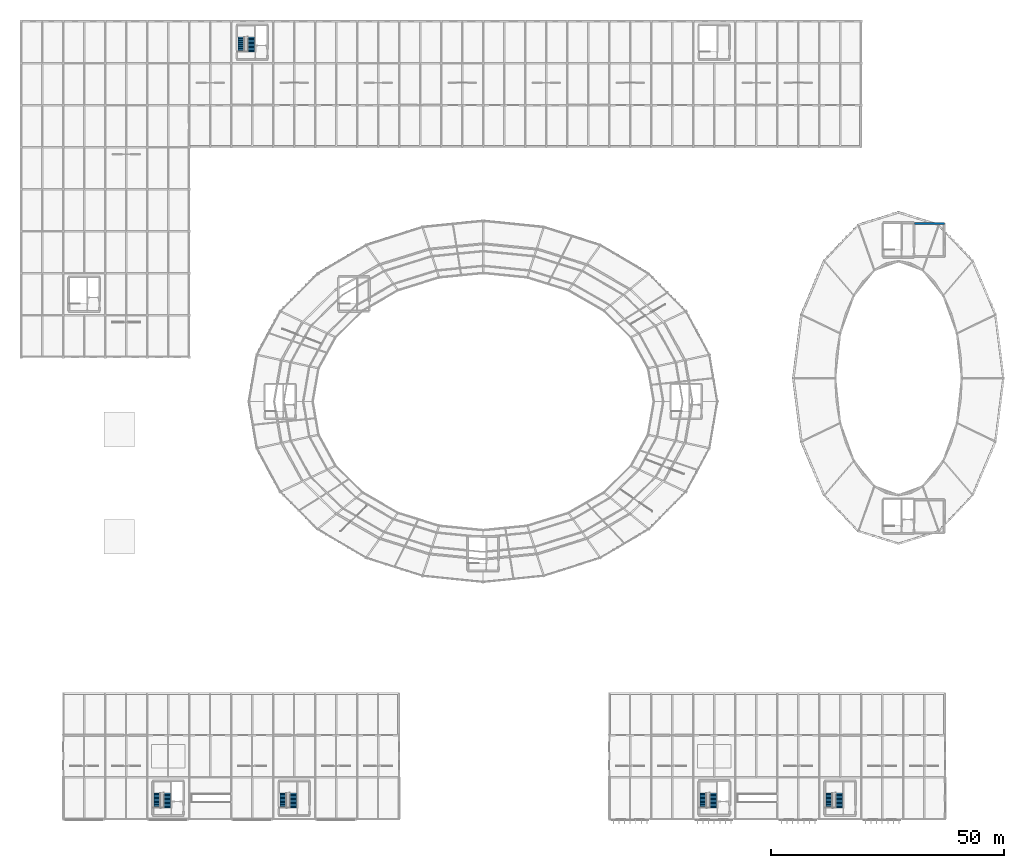
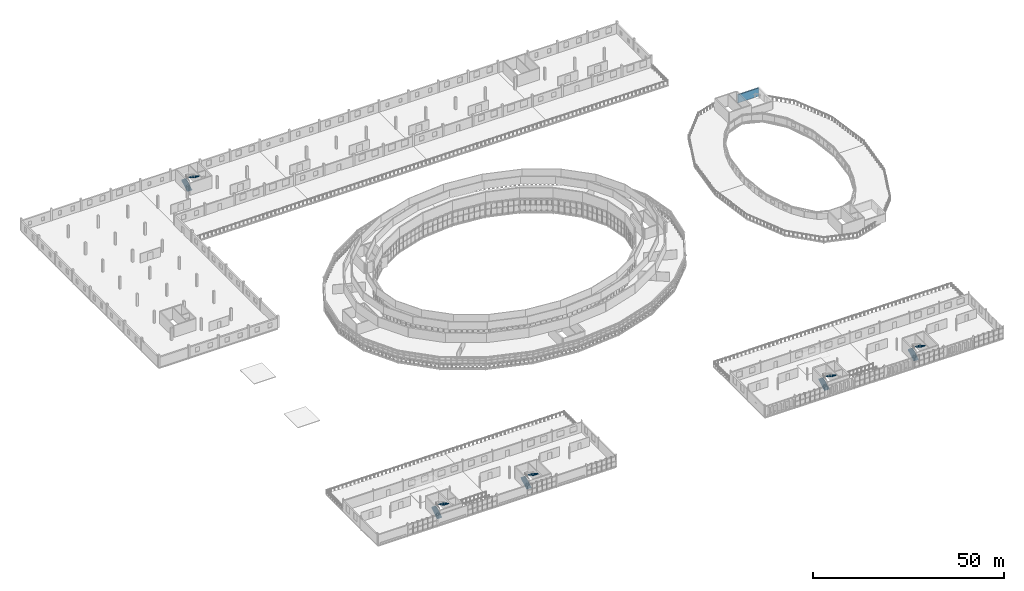
# One storey, part 113 of 123: 10 stair flights, 1 wall, 5 elements without a shape of their own.
"""IFC4 building model written with IfcOpenShell, lengths in metres."""

import ifcopenshell
import ifcopenshell.guid

model = None  # the IFC model being written
_history = None  # IfcOwnerHistory: only IFC2X3 demands one
_inside = {}  # id of a spatial element -> (the spatial element, [elements in it])
_under = {}  # id of a project, library or spatial element -> (it, [spatial elements below it])
_declared = {}  # id of a project -> (the project, [libraries it declares])
_typed = {}  # id of a type object -> (the type object, [elements of that type])
_made_of = {}  # id of a material, layer set ... -> (it, [elements and type objects made of it])


def new_model(schema):
    """Start an empty IFC model of exactly this schema.

    Asked for "IFC4X3", IfcOpenShell would pick the latest addendum, in which some entities
    have other attributes; the version numbers below select the first issue.
    IFC2X3 requires an IfcOwnerHistory on every rooted entity: one is made here for all.
    """
    global model, _history
    if schema == "IFC4X3":
        model = ifcopenshell.file(schema_version=(4, 3, 0, 0))
    else:
        model = ifcopenshell.file(schema=schema)
    _inside.clear()
    _under.clear()
    _declared.clear()
    _typed.clear()
    _made_of.clear()
    _history = None
    if model.schema == "IFC2X3":
        org = make("IfcOrganization", Name="unknown")
        user = make(
            "IfcPersonAndOrganization",
            ThePerson=make("IfcPerson", FamilyName="unknown"),
            TheOrganization=org,
        )
        app = make(
            "IfcApplication",
            ApplicationDeveloper=org,
            Version="unknown",
            ApplicationFullName="unknown",
            ApplicationIdentifier="unknown",
        )
        _history = make(
            "IfcOwnerHistory",
            OwningUser=user,
            OwningApplication=app,
            ChangeAction="ADDED",
            CreationDate=0,
        )
    return model


def make(cls, **values):
    """One entity of the class cls with the attributes given. An attribute that is None is left unset."""
    return model.create_entity(
        cls, **{name: value for name, value in values.items() if value is not None}
    )


def rooted(cls, **values):
    """An entity with a GlobalId (a new one), such as an element, a storey or a relation."""
    return make(cls, GlobalId=ifcopenshell.guid.new(), OwnerHistory=_history, **values)


def si_unit(unit_type, name, prefix=None):
    """IfcSIUnit, for example si_unit("LENGTHUNIT", "METRE", prefix="MILLI")."""
    return make("IfcSIUnit", UnitType=unit_type, Prefix=prefix, Name=name)


def assignment(units):
    """IfcUnitAssignment: the units of a project."""
    return None if units is None else make("IfcUnitAssignment", Units=units)


def point(xyz):
    """IfcCartesianPoint."""
    return None if xyz is None else make("IfcCartesianPoint", Coordinates=xyz)


def direction(xyz):
    """IfcDirection."""
    return None if xyz is None else make("IfcDirection", DirectionRatios=xyz)


def frame(location, z_axis=None, x_axis=None):
    """IfcAxis2Placement3D, a coordinate frame: its origin and axes. An axis left out is left unset."""
    return make(
        "IfcAxis2Placement3D",
        Location=point(location),
        Axis=direction(z_axis),
        RefDirection=direction(x_axis),
    )


def frame_2d(location, x_axis=None):
    """IfcAxis2Placement2D, a coordinate frame in the plane: its origin and x axis."""
    return make(
        "IfcAxis2Placement2D", Location=point(location), RefDirection=direction(x_axis)
    )


def origin():
    """The frame at (0, 0, 0) with its axes left unset."""
    return frame((0.0, 0.0, 0.0))


def place(relative_to, where):
    """IfcLocalPlacement: puts the frame where relative to a parent placement (None: the world)."""
    return make(
        "IfcLocalPlacement", PlacementRelTo=relative_to, RelativePlacement=where
    )


def context(
    kind, dimensions, precision=None, world=None, true_north=None, identifier=None
):
    """IfcGeometricRepresentationContext, for example the 3D "Model" context."""
    return make(
        "IfcGeometricRepresentationContext",
        ContextIdentifier=identifier,
        ContextType=kind,
        CoordinateSpaceDimension=dimensions,
        Precision=precision,
        WorldCoordinateSystem=world,
        TrueNorth=true_north,
    )


def subcontext(parent, identifier, kind, view, scale=None):
    """IfcGeometricRepresentationSubContext, for example "Body" below "Model"."""
    return make(
        "IfcGeometricRepresentationSubContext",
        ContextIdentifier=identifier,
        ContextType=kind,
        ParentContext=parent,
        TargetScale=scale,
        TargetView=view,
    )


def project(units=None, contexts=None):
    """IfcProject with its units and contexts."""
    return rooted(
        "IfcProject",
        Name="project",
        RepresentationContexts=contexts,
        UnitsInContext=assignment(units),
    )


def spatial(cls, under=None, at=None, **own):
    """A site, building, storey or space (cls), placed at a placement, below another one or the project."""
    s = rooted(cls, ObjectPlacement=at, **own)
    if under is not None:
        _under.setdefault(under.id(), (under, []))[1].append(s)
    return s


def polyline(points):
    """IfcPolyline through the points."""
    return make("IfcPolyline", Points=[point(p) for p in points])


def profile(cls, at=None, kind="AREA", **sizes):
    """A parametric profile (cls). Its sizes go by their IFC names, for example OverallWidth=200.0."""
    return make(cls, ProfileType=kind, Position=at, **sizes)


def rectangle(**sizes):
    """IfcRectangleProfileDef."""
    return profile("IfcRectangleProfileDef", **sizes)


def outline(outer, holes=None, kind="AREA"):
    """IfcArbitraryClosedProfileDef: a profile drawn as a closed curve; with holes, ...WithVoids."""
    if holes is None:
        return make("IfcArbitraryClosedProfileDef", ProfileType=kind, OuterCurve=outer)
    return make(
        "IfcArbitraryProfileDefWithVoids",
        ProfileType=kind,
        OuterCurve=outer,
        InnerCurves=holes,
    )


def extrude(swept, where, along, depth):
    """IfcExtrudedAreaSolid: the profile swept, set in the frame where, extruded along a direction by depth."""
    return make(
        "IfcExtrudedAreaSolid",
        SweptArea=swept,
        Position=where,
        ExtrudedDirection=direction(along),
        Depth=depth,
    )


def shape(context_of_items, identifier, shape_type, items):
    """IfcShapeRepresentation: the items that make up one representation, for example the "Body"."""
    return make(
        "IfcShapeRepresentation",
        ContextOfItems=context_of_items,
        RepresentationIdentifier=identifier,
        RepresentationType=shape_type,
        Items=items,
    )


def material(Name=None, Category=None):
    """IfcMaterial."""
    return make("IfcMaterial", Name=Name, Category=Category)


def layer(
    of_material, thickness, ventilated=None, Name=None, Category=None, Priority=None
):
    """IfcMaterialLayer: one layer of a wall or slab, of a material (None: an air gap)."""
    return make(
        "IfcMaterialLayer",
        Material=of_material,
        LayerThickness=thickness,
        IsVentilated=ventilated,
        Name=Name,
        Category=Category,
        Priority=Priority,
    )


def layer_set(layers, Name=None):
    """IfcMaterialLayerSet."""
    return make("IfcMaterialLayerSet", MaterialLayers=layers, LayerSetName=Name)


def made_of(thing, what):
    """Note that an element or type object is made of a material, layer set ...; save() writes the relation."""
    if what is not None:
        _made_of.setdefault(what.id(), (what, []))[1].append(thing)
    return thing


def type_object(cls, material=None, **own):
    """A type object (cls), such as IfcWallType, which elements share."""
    return made_of(rooted(cls, **own), material)


def element(
    cls,
    number,
    at=None,
    inside=None,
    cuts=None,
    type_object=None,
    material=None,
    context=None,
    identifier="Body",
    shape_type=None,
    held_by="IfcProductDefinitionShape",
    body=None,
    shapes=None,
    **own,
):
    """One element of the class cls, such as IfcWall. Its Tag is "e" and its number.

    at: its placement. inside: the storey or other place that contains it. cuts: it is an
    opening in that element (IfcRelVoidsElement). A single representation is given by context,
    identifier, shape_type and body (its items); several are given by shapes. held_by: the class
    of the entity that holds the representations. save() writes the other relations.
    """
    e = rooted(cls, Tag="e%d" % number, ObjectPlacement=at, **own)
    if body is not None:
        shapes = [shape(context, identifier, shape_type, body)]
    if shapes is not None:
        e.Representation = make(held_by, Representations=shapes)
    if inside is not None:
        _inside.setdefault(inside.id(), (inside, []))[1].append(e)
    if cuts is not None:
        rooted(
            "IfcRelVoidsElement", RelatingBuildingElement=cuts, RelatedOpeningElement=e
        )
    if type_object is not None:
        _typed.setdefault(type_object.id(), (type_object, []))[1].append(e)
    return made_of(e, material)


def aggregate(whole, parts):
    """IfcRelAggregates: a whole, such as a stair, and the parts it consists of."""
    return rooted("IfcRelAggregates", RelatingObject=whole, RelatedObjects=parts)


def save(model, path):
    """Write the relations noted so far, then the file.

    IfcRelAggregates (storeys below a building ...), IfcRelContainedInSpatialStructure (elements
    in a storey), IfcRelDefinesByType, IfcRelAssociatesMaterial and IfcRelDeclares: one each for
    every whole, place, type object, material and project.
    """
    for whole, parts in _under.values():
        aggregate(whole, parts)
    for where, things in _inside.values():
        rooted(
            "IfcRelContainedInSpatialStructure",
            RelatedElements=things,
            RelatingStructure=where,
        )
    for kind, things in _typed.values():
        rooted("IfcRelDefinesByType", RelatedObjects=things, RelatingType=kind)
    for what, things in _made_of.values():
        rooted("IfcRelAssociatesMaterial", RelatedObjects=things, RelatingMaterial=what)
    for by, libraries in _declared.values():
        rooted("IfcRelDeclares", RelatingContext=by, RelatedDefinitions=libraries)
    model.write(path)


model = new_model("IFC4")

# Units and contexts
model_context = context("Model", 3, precision=1e-05, world=origin(), true_north=direction((0.0, 1.0)))
body_context = subcontext(model_context, "Body", "Model", "MODEL_VIEW")
ifc_project = project(units=[si_unit("LENGTHUNIT", "METRE"), si_unit("AREAUNIT", "SQUARE_METRE"), si_unit("VOLUMEUNIT", "CUBIC_METRE"), si_unit("PLANEANGLEUNIT", "RADIAN"), si_unit("MASSUNIT", "GRAM", prefix="KILO")], contexts=[model_context])

# Site, building, storey
site_placement = place(None, origin())
site = spatial("IfcSite", under=ifc_project, at=site_placement, CompositionType="ELEMENT")
building_placement = place(site_placement, origin())
building = spatial("IfcBuilding", under=site, at=building_placement, Name="Kildeholm Park Wholesale Market", CompositionType="ELEMENT")
storey_placement = place(building_placement, frame((0.0, 0.0, 9.60009765625)))
storey = spatial("IfcBuildingStorey", under=building, at=storey_placement, Name="L02", CompositionType="ELEMENT", Elevation=9.60009765625)

# Wall
ifc_material_1 = material(Name="Precast concrete C40/50 architectural rainscreen wall", Category="concrete")
ifc_layer = layer(ifc_material_1, 0.340087890625)
ifc_layer_set = layer_set([ifc_layer], Name="Precast concrete C40/50 architectural rainscreen wall")
wall_type = type_object("IfcWallType", Name="Exterior wall W-EX4 340 mm", PredefinedType="SOLIDWALL", material=ifc_layer_set)
wall_placement = place(storey_placement, frame((191.449951171875, 127.64990234375, 0.0), z_axis=(0.0, 0.0, 1.0), x_axis=(1.0, 0.0, 0.0)))
element("IfcWall", 1, at=wall_placement, inside=storey, type_object=wall_type, Name="Oval garden lounge north wall N WL-0307", PredefinedType="SOLIDWALL", context=body_context, shape_type="SweptSolid", body=[
    extrude(rectangle(XDim=6.35009765625, YDim=0.340087890625, at=frame_2d((3.175048828125, 0.0))), origin(), (0.0, 0.0, 1.0), 2.599853515625),
])

# Stair, stair flights
ifc_material_2 = material(Name="Concrete C35/45", Category="concrete")
stair_type = type_object("IfcStairType", Name="Protected upper core escape stair ST-CR2", PredefinedType="HALF_TURN_STAIR", material=ifc_material_2)
stair_1_placement = place(storey_placement, origin())
stair_1 = element("IfcStair", 2, at=stair_1_placement, inside=storey, type_object=stair_type, Name="Escape stair C02 L02 STR-0005", PredefinedType="HALF_TURN_STAIR")
stair_flight_type = type_object("IfcStairFlightType", Name="Upper reinforced-concrete stair flight SF-03", PredefinedType="STRAIGHT", material=ifc_material_2)
stair_flight_1_placement = place(storey_placement, frame((47.139892578125, 164.419921875, 0.0), z_axis=(0.0, 0.0, 1.0), x_axis=(0.0, 1.0, 0.0)))
stair_flight_1 = element("IfcStairFlight", 3, at=stair_flight_1_placement, type_object=stair_flight_type, Name="ST-02-02 flight 1 FLT-0009", NumberOfRisers=12, NumberOfTreads=11, PredefinedType="STRAIGHT", RiserHeight=0.1625, TreadLength=0.285, context=body_context, shape_type="SweptSolid", body=[
    extrude(outline(polyline([(0.0, 0.0), (0.0, 0.16259765625), (0.284912109375, 0.16259765625), (0.284912109375, 0.324951171875), (0.570068359375, 0.324951171875), (0.570068359375, 0.487548828125), (0.85498046875, 0.487548828125), (0.85498046875, 0.64990234375), (1.139892578125, 0.64990234375), (1.139892578125, 0.8125), (1.425048828125, 0.8125), (1.425048828125, 0.97509765625), (1.7099609375, 0.97509765625), (1.7099609375, 1.137451171875), (1.9951171875, 1.137451171875), (1.9951171875, 1.300048828125), (2.280029296875, 1.300048828125), (2.280029296875, 1.46240234375), (2.56494140625, 1.46240234375), (2.56494140625, 1.625), (2.85009765625, 1.625), (2.85009765625, 1.78759765625), (3.135009765625, 1.78759765625), (3.135009765625, 1.949951171875), (3.18505859375, 1.949951171875), (3.18505859375, 1.800048828125), (3.135009765625, 1.614990234375), (0.302734375, 0.0), (0.0, 0.0)])), frame((0.0, 0.719970703125, 0.0), z_axis=(0.0, -1.0, 0.0), x_axis=(1.0, 0.0, 0.0)), (0.0, 0.0, 1.0), 1.43994140625),
])
stair_flight_2_placement = place(storey_placement, frame((49.27001953125, 167.614990234375, 1.949951171875), z_axis=(0.0, 0.0, 1.0), x_axis=(0.0, -1.0, 0.0)))
stair_flight_2 = element("IfcStairFlight", 4, at=stair_flight_2_placement, type_object=stair_flight_type, Name="ST-02-02 flight 2 FLT-0010", NumberOfRisers=12, NumberOfTreads=11, PredefinedType="STRAIGHT", RiserHeight=0.1625, TreadLength=0.285, context=body_context, shape_type="SweptSolid", body=[
    extrude(outline(polyline([(0.0, 0.0), (0.0, 0.16259765625), (0.284912109375, 0.16259765625), (0.284912109375, 0.324951171875), (0.570068359375, 0.324951171875), (0.570068359375, 0.487548828125), (0.85498046875, 0.487548828125), (0.85498046875, 0.64990234375), (1.139892578125, 0.64990234375), (1.139892578125, 0.8125), (1.425048828125, 0.8125), (1.425048828125, 0.97509765625), (1.7099609375, 0.97509765625), (1.7099609375, 1.137451171875), (1.9951171875, 1.137451171875), (1.9951171875, 1.300048828125), (2.280029296875, 1.300048828125), (2.280029296875, 1.46240234375), (2.56494140625, 1.46240234375), (2.56494140625, 1.625), (2.85009765625, 1.625), (2.85009765625, 1.78759765625), (3.135009765625, 1.78759765625), (3.135009765625, 1.949951171875), (3.18505859375, 1.949951171875), (3.18505859375, 1.800048828125), (3.135009765625, 1.614990234375), (0.302734375, 0.0), (0.0, 0.0)])), frame((0.0, 0.719970703125, 0.0), z_axis=(0.0, -1.0, 0.0), x_axis=(1.0, 0.0, 0.0)), (0.0, 0.0, 1.0), 1.43994140625),
])
aggregate(stair_1, [stair_flight_1, stair_flight_2])

stair_2_placement = place(storey_placement, origin())
stair_2 = element("IfcStair", 5, at=stair_2_placement, inside=storey, type_object=stair_type, Name="Escape stair C04 L02 STR-0010", PredefinedType="HALF_TURN_STAIR")
stair_flight_3_placement = place(storey_placement, frame((29.139892578125, 2.419921875, 0.0), z_axis=(0.0, 0.0, 1.0), x_axis=(0.0, 1.0, 0.0)))
stair_flight_3 = element("IfcStairFlight", 6, at=stair_flight_3_placement, type_object=stair_flight_type, Name="ST-04-02 flight 1 FLT-0019", NumberOfRisers=12, NumberOfTreads=11, PredefinedType="STRAIGHT", RiserHeight=0.1625, TreadLength=0.285, context=body_context, shape_type="SweptSolid", body=[
    extrude(outline(polyline([(0.0, 0.0), (0.0, 0.16259765625), (0.284912109375, 0.16259765625), (0.284912109375, 0.324951171875), (0.570068359375, 0.324951171875), (0.570068359375, 0.487548828125), (0.85498046875, 0.487548828125), (0.85498046875, 0.64990234375), (1.139892578125, 0.64990234375), (1.139892578125, 0.8125), (1.425048828125, 0.8125), (1.425048828125, 0.97509765625), (1.7099609375, 0.97509765625), (1.7099609375, 1.137451171875), (1.9951171875, 1.137451171875), (1.9951171875, 1.300048828125), (2.280029296875, 1.300048828125), (2.280029296875, 1.46240234375), (2.56494140625, 1.46240234375), (2.56494140625, 1.625), (2.85009765625, 1.625), (2.85009765625, 1.78759765625), (3.135009765625, 1.78759765625), (3.135009765625, 1.949951171875), (3.18505859375, 1.949951171875), (3.18505859375, 1.800048828125), (3.135009765625, 1.614990234375), (0.302734375, 0.0), (0.0, 0.0)])), frame((0.0, 0.719970703125, 0.0), z_axis=(0.0, -1.0, 0.0), x_axis=(1.0, 0.0, 0.0)), (0.0, 0.0, 1.0), 1.43994140625),
])
stair_flight_4_placement = place(storey_placement, frame((31.27001953125, 5.614990234375, 1.949951171875), z_axis=(0.0, 0.0, 1.0), x_axis=(0.0, -1.0, 0.0)))
stair_flight_4 = element("IfcStairFlight", 7, at=stair_flight_4_placement, type_object=stair_flight_type, Name="ST-04-02 flight 2 FLT-0020", NumberOfRisers=12, NumberOfTreads=11, PredefinedType="STRAIGHT", RiserHeight=0.1625, TreadLength=0.285, context=body_context, shape_type="SweptSolid", body=[
    extrude(outline(polyline([(0.0, 0.0), (0.0, 0.16259765625), (0.284912109375, 0.16259765625), (0.284912109375, 0.324951171875), (0.570068359375, 0.324951171875), (0.570068359375, 0.487548828125), (0.85498046875, 0.487548828125), (0.85498046875, 0.64990234375), (1.139892578125, 0.64990234375), (1.139892578125, 0.8125), (1.425048828125, 0.8125), (1.425048828125, 0.97509765625), (1.7099609375, 0.97509765625), (1.7099609375, 1.137451171875), (1.9951171875, 1.137451171875), (1.9951171875, 1.300048828125), (2.280029296875, 1.300048828125), (2.280029296875, 1.46240234375), (2.56494140625, 1.46240234375), (2.56494140625, 1.625), (2.85009765625, 1.625), (2.85009765625, 1.78759765625), (3.135009765625, 1.78759765625), (3.135009765625, 1.949951171875), (3.18505859375, 1.949951171875), (3.18505859375, 1.800048828125), (3.135009765625, 1.614990234375), (0.302734375, 0.0), (0.0, 0.0)])), frame((0.0, 0.719970703125, 0.0), z_axis=(0.0, -1.0, 0.0), x_axis=(1.0, 0.0, 0.0)), (0.0, 0.0, 1.0), 1.43994140625),
])
aggregate(stair_2, [stair_flight_3, stair_flight_4])

stair_3_placement = place(storey_placement, origin())
stair_3 = element("IfcStair", 8, at=stair_3_placement, inside=storey, type_object=stair_type, Name="Escape stair C05 L02 STR-0013", PredefinedType="HALF_TURN_STAIR")
stair_flight_5_placement = place(storey_placement, frame((56.139892578125, 2.419921875, 0.0), z_axis=(0.0, 0.0, 1.0), x_axis=(0.0, 1.0, 0.0)))
stair_flight_5 = element("IfcStairFlight", 9, at=stair_flight_5_placement, type_object=stair_flight_type, Name="ST-05-02 flight 1 FLT-0025", NumberOfRisers=12, NumberOfTreads=11, PredefinedType="STRAIGHT", RiserHeight=0.1625, TreadLength=0.285, context=body_context, shape_type="SweptSolid", body=[
    extrude(outline(polyline([(0.0, 0.0), (0.0, 0.16259765625), (0.284912109375, 0.16259765625), (0.284912109375, 0.324951171875), (0.570068359375, 0.324951171875), (0.570068359375, 0.487548828125), (0.85498046875, 0.487548828125), (0.85498046875, 0.64990234375), (1.139892578125, 0.64990234375), (1.139892578125, 0.8125), (1.425048828125, 0.8125), (1.425048828125, 0.97509765625), (1.7099609375, 0.97509765625), (1.7099609375, 1.137451171875), (1.9951171875, 1.137451171875), (1.9951171875, 1.300048828125), (2.280029296875, 1.300048828125), (2.280029296875, 1.46240234375), (2.56494140625, 1.46240234375), (2.56494140625, 1.625), (2.85009765625, 1.625), (2.85009765625, 1.78759765625), (3.135009765625, 1.78759765625), (3.135009765625, 1.949951171875), (3.18505859375, 1.949951171875), (3.18505859375, 1.800048828125), (3.135009765625, 1.614990234375), (0.302734375, 0.0), (0.0, 0.0)])), frame((0.0, 0.719970703125, 0.0), z_axis=(0.0, -1.0, 0.0), x_axis=(1.0, 0.0, 0.0)), (0.0, 0.0, 1.0), 1.43994140625),
])
stair_flight_6_placement = place(storey_placement, frame((58.27001953125, 5.614990234375, 1.949951171875), z_axis=(0.0, 0.0, 1.0), x_axis=(0.0, -1.0, 0.0)))
stair_flight_6 = element("IfcStairFlight", 10, at=stair_flight_6_placement, type_object=stair_flight_type, Name="ST-05-02 flight 2 FLT-0026", NumberOfRisers=12, NumberOfTreads=11, PredefinedType="STRAIGHT", RiserHeight=0.1625, TreadLength=0.285, context=body_context, shape_type="SweptSolid", body=[
    extrude(outline(polyline([(0.0, 0.0), (0.0, 0.16259765625), (0.284912109375, 0.16259765625), (0.284912109375, 0.324951171875), (0.570068359375, 0.324951171875), (0.570068359375, 0.487548828125), (0.85498046875, 0.487548828125), (0.85498046875, 0.64990234375), (1.139892578125, 0.64990234375), (1.139892578125, 0.8125), (1.425048828125, 0.8125), (1.425048828125, 0.97509765625), (1.7099609375, 0.97509765625), (1.7099609375, 1.137451171875), (1.9951171875, 1.137451171875), (1.9951171875, 1.300048828125), (2.280029296875, 1.300048828125), (2.280029296875, 1.46240234375), (2.56494140625, 1.46240234375), (2.56494140625, 1.625), (2.85009765625, 1.625), (2.85009765625, 1.78759765625), (3.135009765625, 1.78759765625), (3.135009765625, 1.949951171875), (3.18505859375, 1.949951171875), (3.18505859375, 1.800048828125), (3.135009765625, 1.614990234375), (0.302734375, 0.0), (0.0, 0.0)])), frame((0.0, 0.719970703125, 0.0), z_axis=(0.0, -1.0, 0.0), x_axis=(1.0, 0.0, 0.0)), (0.0, 0.0, 1.0), 1.43994140625),
])
aggregate(stair_3, [stair_flight_5, stair_flight_6])

stair_4_placement = place(storey_placement, origin())
stair_4 = element("IfcStair", 11, at=stair_4_placement, inside=storey, type_object=stair_type, Name="Escape stair C06 L02 STR-0016", PredefinedType="HALF_TURN_STAIR")
stair_flight_7_placement = place(storey_placement, frame((146.139892578125, 2.419921875, 0.0), z_axis=(0.0, 0.0, 1.0), x_axis=(0.0, 1.0, 0.0)))
stair_flight_7 = element("IfcStairFlight", 12, at=stair_flight_7_placement, type_object=stair_flight_type, Name="ST-06-02 flight 1 FLT-0031", NumberOfRisers=12, NumberOfTreads=11, PredefinedType="STRAIGHT", RiserHeight=0.1625, TreadLength=0.285, context=body_context, shape_type="SweptSolid", body=[
    extrude(outline(polyline([(0.0, 0.0), (0.0, 0.16259765625), (0.284912109375, 0.16259765625), (0.284912109375, 0.324951171875), (0.570068359375, 0.324951171875), (0.570068359375, 0.487548828125), (0.85498046875, 0.487548828125), (0.85498046875, 0.64990234375), (1.139892578125, 0.64990234375), (1.139892578125, 0.8125), (1.425048828125, 0.8125), (1.425048828125, 0.97509765625), (1.7099609375, 0.97509765625), (1.7099609375, 1.137451171875), (1.9951171875, 1.137451171875), (1.9951171875, 1.300048828125), (2.280029296875, 1.300048828125), (2.280029296875, 1.46240234375), (2.56494140625, 1.46240234375), (2.56494140625, 1.625), (2.85009765625, 1.625), (2.85009765625, 1.78759765625), (3.135009765625, 1.78759765625), (3.135009765625, 1.949951171875), (3.18505859375, 1.949951171875), (3.18505859375, 1.800048828125), (3.135009765625, 1.614990234375), (0.302734375, 0.0), (0.0, 0.0)])), frame((0.0, 0.719970703125, 0.0), z_axis=(0.0, -1.0, 0.0), x_axis=(1.0, 0.0, 0.0)), (0.0, 0.0, 1.0), 1.43994140625),
])
stair_flight_8_placement = place(storey_placement, frame((148.27001953125, 5.614990234375, 1.949951171875), z_axis=(0.0, 0.0, 1.0), x_axis=(0.0, -1.0, 0.0)))
stair_flight_8 = element("IfcStairFlight", 13, at=stair_flight_8_placement, type_object=stair_flight_type, Name="ST-06-02 flight 2 FLT-0032", NumberOfRisers=12, NumberOfTreads=11, PredefinedType="STRAIGHT", RiserHeight=0.1625, TreadLength=0.285, context=body_context, shape_type="SweptSolid", body=[
    extrude(outline(polyline([(0.0, 0.0), (0.0, 0.16259765625), (0.284912109375, 0.16259765625), (0.284912109375, 0.324951171875), (0.570068359375, 0.324951171875), (0.570068359375, 0.487548828125), (0.85498046875, 0.487548828125), (0.85498046875, 0.64990234375), (1.139892578125, 0.64990234375), (1.139892578125, 0.8125), (1.425048828125, 0.8125), (1.425048828125, 0.97509765625), (1.7099609375, 0.97509765625), (1.7099609375, 1.137451171875), (1.9951171875, 1.137451171875), (1.9951171875, 1.300048828125), (2.280029296875, 1.300048828125), (2.280029296875, 1.46240234375), (2.56494140625, 1.46240234375), (2.56494140625, 1.625), (2.85009765625, 1.625), (2.85009765625, 1.78759765625), (3.135009765625, 1.78759765625), (3.135009765625, 1.949951171875), (3.18505859375, 1.949951171875), (3.18505859375, 1.800048828125), (3.135009765625, 1.614990234375), (0.302734375, 0.0), (0.0, 0.0)])), frame((0.0, 0.719970703125, 0.0), z_axis=(0.0, -1.0, 0.0), x_axis=(1.0, 0.0, 0.0)), (0.0, 0.0, 1.0), 1.43994140625),
])
aggregate(stair_4, [stair_flight_7, stair_flight_8])

stair_5_placement = place(storey_placement, origin())
stair_5 = element("IfcStair", 14, at=stair_5_placement, inside=storey, type_object=stair_type, Name="Escape stair C07 L02 STR-0019", PredefinedType="HALF_TURN_STAIR")
stair_flight_9_placement = place(storey_placement, frame((173.139892578125, 2.419921875, 0.0), z_axis=(0.0, 0.0, 1.0), x_axis=(0.0, 1.0, 0.0)))
stair_flight_9 = element("IfcStairFlight", 15, at=stair_flight_9_placement, type_object=stair_flight_type, Name="ST-07-02 flight 1 FLT-0037", NumberOfRisers=12, NumberOfTreads=11, PredefinedType="STRAIGHT", RiserHeight=0.1625, TreadLength=0.285, context=body_context, shape_type="SweptSolid", body=[
    extrude(outline(polyline([(0.0, 0.0), (0.0, 0.16259765625), (0.284912109375, 0.16259765625), (0.284912109375, 0.324951171875), (0.570068359375, 0.324951171875), (0.570068359375, 0.487548828125), (0.85498046875, 0.487548828125), (0.85498046875, 0.64990234375), (1.139892578125, 0.64990234375), (1.139892578125, 0.8125), (1.425048828125, 0.8125), (1.425048828125, 0.97509765625), (1.7099609375, 0.97509765625), (1.7099609375, 1.137451171875), (1.9951171875, 1.137451171875), (1.9951171875, 1.300048828125), (2.280029296875, 1.300048828125), (2.280029296875, 1.46240234375), (2.56494140625, 1.46240234375), (2.56494140625, 1.625), (2.85009765625, 1.625), (2.85009765625, 1.78759765625), (3.135009765625, 1.78759765625), (3.135009765625, 1.949951171875), (3.18505859375, 1.949951171875), (3.18505859375, 1.800048828125), (3.135009765625, 1.614990234375), (0.302734375, 0.0), (0.0, 0.0)])), frame((0.0, 0.719970703125, 0.0), z_axis=(0.0, -1.0, 0.0), x_axis=(1.0, 0.0, 0.0)), (0.0, 0.0, 1.0), 1.43994140625),
])
stair_flight_10_placement = place(storey_placement, frame((175.27001953125, 5.614990234375, 1.949951171875), z_axis=(0.0, 0.0, 1.0), x_axis=(0.0, -1.0, 0.0)))
stair_flight_10 = element("IfcStairFlight", 16, at=stair_flight_10_placement, type_object=stair_flight_type, Name="ST-07-02 flight 2 FLT-0038", NumberOfRisers=12, NumberOfTreads=11, PredefinedType="STRAIGHT", RiserHeight=0.1625, TreadLength=0.285, context=body_context, shape_type="SweptSolid", body=[
    extrude(outline(polyline([(0.0, 0.0), (0.0, 0.16259765625), (0.284912109375, 0.16259765625), (0.284912109375, 0.324951171875), (0.570068359375, 0.324951171875), (0.570068359375, 0.487548828125), (0.85498046875, 0.487548828125), (0.85498046875, 0.64990234375), (1.139892578125, 0.64990234375), (1.139892578125, 0.8125), (1.425048828125, 0.8125), (1.425048828125, 0.97509765625), (1.7099609375, 0.97509765625), (1.7099609375, 1.137451171875), (1.9951171875, 1.137451171875), (1.9951171875, 1.300048828125), (2.280029296875, 1.300048828125), (2.280029296875, 1.46240234375), (2.56494140625, 1.46240234375), (2.56494140625, 1.625), (2.85009765625, 1.625), (2.85009765625, 1.78759765625), (3.135009765625, 1.78759765625), (3.135009765625, 1.949951171875), (3.18505859375, 1.949951171875), (3.18505859375, 1.800048828125), (3.135009765625, 1.614990234375), (0.302734375, 0.0), (0.0, 0.0)])), frame((0.0, 0.719970703125, 0.0), z_axis=(0.0, -1.0, 0.0), x_axis=(1.0, 0.0, 0.0)), (0.0, 0.0, 1.0), 1.43994140625),
])
aggregate(stair_5, [stair_flight_9, stair_flight_10])

save(model, "model.ifc")
